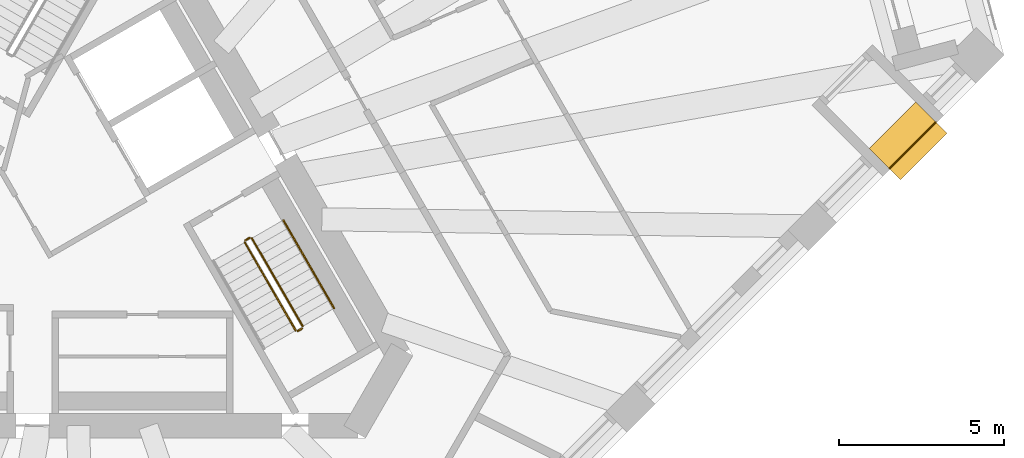
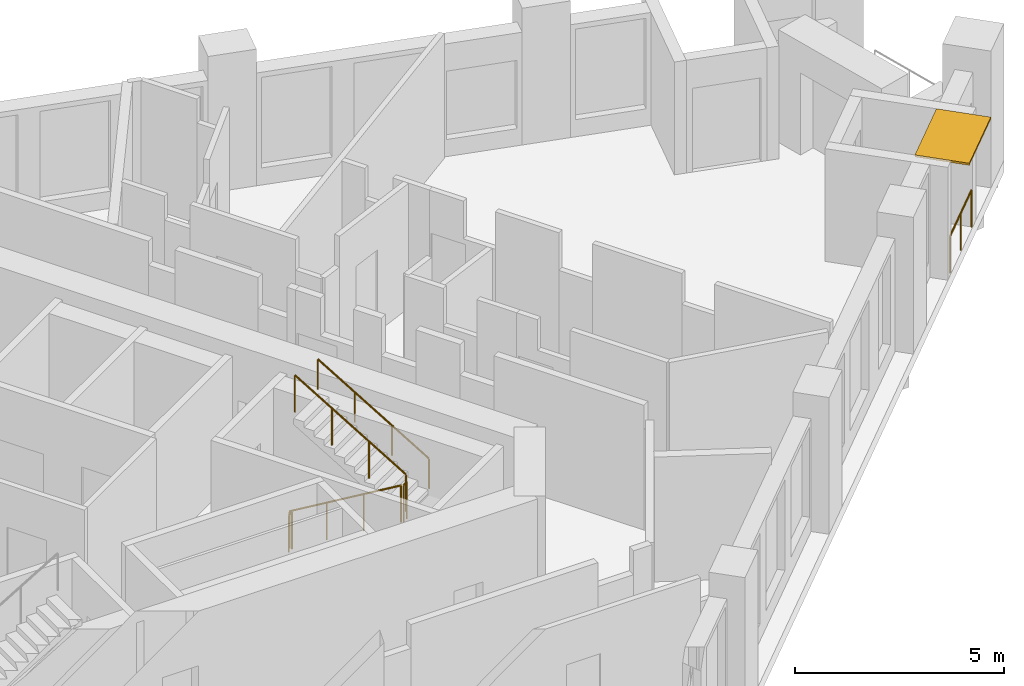
# One storey, part 11 of 13: 6 railings, 1 shading device.
"""IFC4 building model written with IfcOpenShell, lengths in metres."""

from ifc_helpers import new_model, si_unit, direction, frame, origin, origin_2d, place, context, subcontext, project, spatial, rectangle, circle, extrude, material, layer, layer_set, type_object, element, save


model = new_model("IFC4")

# Units and contexts
model_context = context("Model", 3, precision=1e-05, world=origin(), true_north=direction((0.0, 1.0)))
body_context = subcontext(model_context, "Body", "Model", "MODEL_VIEW")
ifc_project = project(units=[si_unit("LENGTHUNIT", "METRE"), si_unit("AREAUNIT", "SQUARE_METRE"), si_unit("VOLUMEUNIT", "CUBIC_METRE"), si_unit("PLANEANGLEUNIT", "RADIAN"), si_unit("MASSUNIT", "GRAM", prefix="KILO")], contexts=[model_context])

# Site, building, storey
site_placement = place(None, origin())
site = spatial("IfcSite", under=ifc_project, at=site_placement, CompositionType="ELEMENT")
building_placement = place(site_placement, origin())
building = spatial("IfcBuilding", under=site, at=building_placement, Name="Tramontana Tower", CompositionType="ELEMENT")
storey_placement = place(building_placement, frame((0.0, 0.0, 224.0)))
storey = spatial("IfcBuildingStorey", under=building, at=storey_placement, Name="L52", CompositionType="ELEMENT", Elevation=224.0)

# Railing
ifc_material_1 = material(Name="Laminated glass balustrade", Category="glass")
railing_type_1 = type_object("IfcRailingType", Name="GD1 Loggia glass balustrade 1100", PredefinedType="BALUSTRADE", material=ifc_material_1)
railing_1_placement = place(storey_placement, frame((24.718017578125, 1.426025390625, 0.0)))
element("IfcRailing", 1, at=railing_1_placement, inside=storey, type_object=railing_type_1, Name="Loggia balustrade L52 G5S1.16", PredefinedType="BALUSTRADE", context=body_context, shape_type="SweptSolid", body=[
    extrude(circle(Radius=0.02392578125, at=origin_2d()), frame((0.0, 0.0, 1.076171875), z_axis=(0.707106781187, 0.707106781187, 0.0), x_axis=(-0.707106781187, 0.707106781187, 0.0)), (0.0, 0.0, 1.0), 1.998046875),
    extrude(circle(Radius=0.02099609375, at=origin_2d()), origin(), (0.0, 0.0, 1.0), 1.052001953125),
    extrude(circle(Radius=0.02099609375, at=origin_2d()), frame((0.70654296875, 0.70654296875, 0.0)), (0.0, 0.0, 1.0), 1.052001953125),
    extrude(circle(Radius=0.02099609375, at=origin_2d()), frame((1.412841796875, 1.412841796875, 0.0)), (0.0, 0.0, 1.0), 1.052001953125),
])

# Shading device
ifc_material_2 = material(Name="Precast concrete 60 MPa", Category="concrete")
ifc_layer = layer(ifc_material_2, 0.06005859375)
ifc_layer_set = layer_set([ifc_layer], Name="SS1 Stone sunshade blade 60")
shading_device_type = type_object("IfcShadingDeviceType", Name="SS1 Stone sunshade blade 60", PredefinedType="USERDEFINED", material=ifc_layer_set)
shading_device_placement = place(storey_placement, frame((25.28662109375, 2.270263671875, 3.239990234375), z_axis=(0.0, 0.0, 1.0), x_axis=(0.707106781187, 0.707106781187, 0.0)))
element("IfcShadingDevice", 2, at=shading_device_placement, inside=storey, type_object=shading_device_type, Name="Sunshade L52 G5S1.16", ObjectType="SUNSHADE", PredefinedType="USERDEFINED", context=body_context, shape_type="SweptSolid", body=[
    extrude(rectangle(XDim=1.998046875, YDim=1.35009765625, at=origin_2d()), origin(), (0.0, 0.0, 1.0), 0.06005859375),
])

# Railings
ifc_material_3 = material(Name="Painted steel", Category="steel")
railing_type_2 = type_object("IfcRailingType", Name="STAIR GUARD 1100", PredefinedType="GUARDRAIL", material=ifc_material_3)
railing_2_placement = place(storey_placement, frame((5.1474609375, -0.815673828125, 0.166748046875)))
element("IfcRailing", 3, at=railing_2_placement, inside=storey, type_object=railing_type_2, Name="L52 ST3 stair guard 1", PredefinedType="GUARDRAIL", context=body_context, shape_type="SweptSolid", body=[
    extrude(circle(Radius=0.02392578125, at=origin_2d()), frame((0.0, 0.0, 1.076171875), z_axis=(0.429671193721, -0.744159446956, 0.511477646425), x_axis=(0.866010015463, 0.500026652407, 0.0)), (0.0, 0.0, 1.0), 3.584228515625),
    extrude(circle(Radius=0.02099609375, at=origin_2d()), origin(), (0.0, 0.0, 1.0), 1.052001953125),
    extrude(circle(Radius=0.02099609375, at=origin_2d()), frame((0.513427734375, -0.88916015625, 0.611083984375)), (0.0, 0.0, 1.0), 1.052001953125),
    extrude(circle(Radius=0.02099609375, at=origin_2d()), frame((1.026611328125, -1.778076171875, 1.22216796875)), (0.0, 0.0, 1.0), 1.052001953125),
    extrude(circle(Radius=0.02099609375, at=origin_2d()), frame((1.5400390625, -2.667236328125, 1.833251953125)), (0.0, 0.0, 1.0), 1.052001953125),
])
railing_3_placement = place(storey_placement, frame((6.90380859375, -3.35791015625, 2.166748046875)))
element("IfcRailing", 4, at=railing_3_placement, inside=storey, type_object=railing_type_2, Name="L52 ST3 stair guard 2", PredefinedType="GUARDRAIL", context=body_context, shape_type="SweptSolid", body=[
    extrude(circle(Radius=0.02392578125, at=origin_2d()), frame((0.0, 0.0, 1.076171875), z_axis=(-0.429615651263, 0.74418122563, 0.511492615401), x_axis=(-0.866044340336, -0.499967199496, 0.0)), (0.0, 0.0, 1.0), 3.584228515625),
    extrude(circle(Radius=0.02099609375, at=origin_2d()), origin(), (0.0, 0.0, 1.0), 1.052001953125),
    extrude(circle(Radius=0.02099609375, at=origin_2d()), frame((-0.51318359375, 0.88916015625, 0.611083984375)), (0.0, 0.0, 1.0), 1.052001953125),
    extrude(circle(Radius=0.02099609375, at=origin_2d()), frame((-1.026611328125, 1.778076171875, 1.22216796875)), (0.0, 0.0, 1.0), 1.052001953125),
    extrude(circle(Radius=0.02099609375, at=origin_2d()), frame((-1.539794921875, 2.667236328125, 1.833251953125)), (0.0, 0.0, 1.0), 1.052001953125),
])
for number, where, name in (
    (5, (6.755615234375, -3.501220703125, 2.0), "L52 ST3 stair guard 3"),
    (6, (5.165771484375, -0.747314453125, 0.0), "L52 ST3 stair guard 4"),
):
    element("IfcRailing", number, at=place(storey_placement, frame(where)), inside=storey, type_object=railing_type_2, Name=name, PredefinedType="GUARDRAIL", context=body_context, shape_type="SweptSolid", body=[
        extrude(circle(Radius=0.02392578125, at=origin_2d()), frame((0.0, 0.0, 1.076171875), z_axis=(0.866131372301, 0.499816412211, 0.0), x_axis=(-0.499816412211, 0.866131372301, 0.0)), (0.0, 0.0, 1.0), 0.14990234375),
        extrude(circle(Radius=0.02099609375, at=origin_2d()), origin(), (0.0, 0.0, 1.0), 1.052001953125),
        extrude(circle(Radius=0.02099609375, at=origin_2d()), frame((0.1298828125, 0.074951171875, 0.0)), (0.0, 0.0, 1.0), 1.052001953125),
    ])
ifc_material_4 = material(Name="Painted steel", Category="steel")
railing_type_3 = type_object("IfcRailingType", Name="STAIR HANDRAIL 900", PredefinedType="HANDRAIL", material=ifc_material_4)
railing_4_placement = place(storey_placement, frame((7.8564453125, -2.807861328125, 2.166748046875)))
element("IfcRailing", 7, at=railing_4_placement, inside=storey, type_object=railing_type_3, Name="L52 ST3 stair handrail 2", PredefinedType="HANDRAIL", context=body_context, shape_type="SweptSolid", body=[
    extrude(circle(Radius=0.02392578125, at=origin_2d()), frame((0.0, 0.0, 0.8759765625), z_axis=(-0.429615651263, 0.74418122563, 0.511492615401), x_axis=(-0.866044340336, -0.499967199496, 0.0)), (0.0, 0.0, 1.0), 3.584228515625),
    extrude(circle(Radius=0.02099609375, at=origin_2d()), origin(), (0.0, 0.0, 1.0), 0.851806640625),
    extrude(circle(Radius=0.02099609375, at=origin_2d()), frame((-0.51318359375, 0.88916015625, 0.611083984375)), (0.0, 0.0, 1.0), 0.851806640625),
    extrude(circle(Radius=0.02099609375, at=origin_2d()), frame((-1.026611328125, 1.778076171875, 1.22216796875)), (0.0, 0.0, 1.0), 0.851806640625),
    extrude(circle(Radius=0.02099609375, at=origin_2d()), frame((-1.539794921875, 2.667236328125, 1.833251953125)), (0.0, 0.0, 1.0), 0.851806640625),
])

save(model, "model.ifc")
